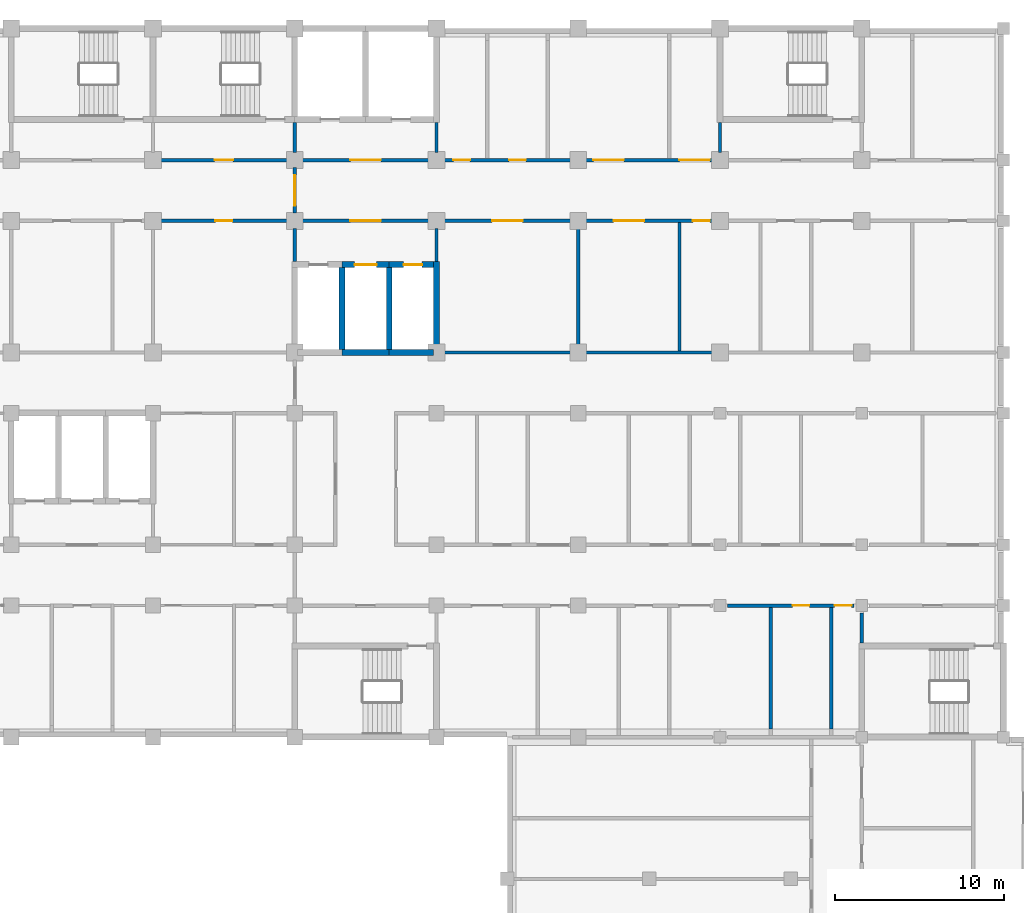
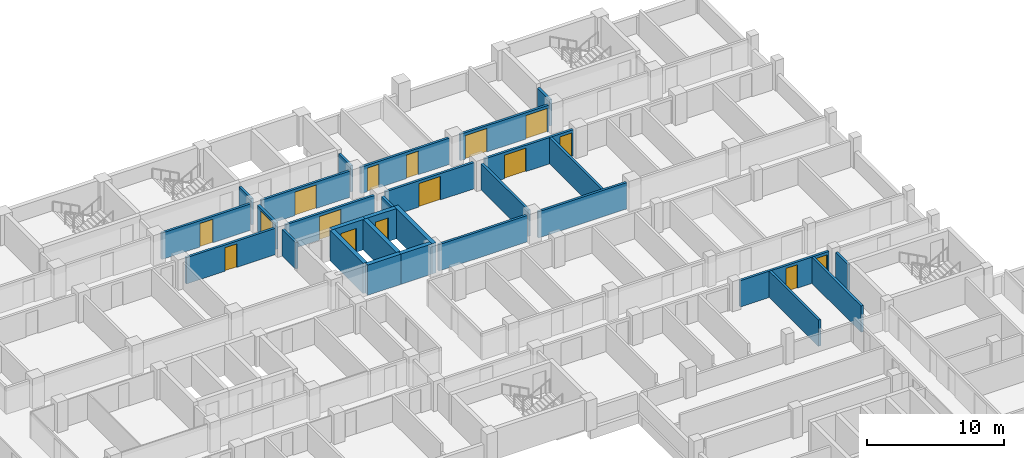
# One storey, part 59 of 89: 29 walls, 16 doors, 16 openings.
"""IFC4 building model written with IfcOpenShell, lengths in metres."""

from ifc_helpers import new_model, si_unit, direction, frame, frame_2d, origin, place, context, subcontext, project, spatial, rectangle, extrude, material, layer, layer_set, type_object, element, fill, save


model = new_model("IFC4")

# Units and contexts
model_context = context("Model", 3, precision=1e-05, world=origin(), true_north=direction((0.0, 1.0)))
body_context = subcontext(model_context, "Body", "Model", "MODEL_VIEW")
ifc_project = project(units=[si_unit("LENGTHUNIT", "METRE"), si_unit("AREAUNIT", "SQUARE_METRE"), si_unit("VOLUMEUNIT", "CUBIC_METRE"), si_unit("PLANEANGLEUNIT", "RADIAN"), si_unit("MASSUNIT", "GRAM", prefix="KILO")], contexts=[model_context])

# Site, building, storey
site_placement = place(None, origin())
site = spatial("IfcSite", under=ifc_project, at=site_placement, CompositionType="ELEMENT")
building_placement = place(site_placement, origin())
building = spatial("IfcBuilding", under=site, at=building_placement, Name="Bougainvillea Quay General Hospital", CompositionType="ELEMENT")
storey_placement = place(building_placement, frame((0.0, 0.0, 9.89990234375)))
storey = spatial("IfcBuildingStorey", under=building, at=storey_placement, Name="L01M", CompositionType="ELEMENT", Elevation=9.89990234375)

# Wall, openings, doors
ifc_material_1 = material(Name="Fire-rated autoclaved aerated block wall, plastered")
ifc_layer_1 = layer(ifc_material_1, 0.199951171875)
ifc_layer_set_1 = layer_set([ifc_layer_1], Name="Fire-rated autoclaved aerated block wall, plastered")
wall_type_1 = type_object("IfcWallType", Name="Partition 200 Fire-rated autoclaved aerated block wall EI 120", PredefinedType="SOLIDWALL", material=ifc_layer_set_1)
wall_1_placement = place(storey_placement, frame((175.949951171875, 151.800048828125, 0.0), z_axis=(0.0, 0.0, 1.0), x_axis=(-1.0, 0.0, 0.0)))
wall_1 = element("IfcWall", 1, at=wall_1_placement, inside=storey, type_object=wall_type_1, Name="Partition 200 mm EI 120", PredefinedType="SOLIDWALL", context=body_context, shape_type="SweptSolid", body=[
    extrude(rectangle(XDim=7.5, YDim=0.199951171875, at=frame_2d((3.75, 0.0))), origin(), (0.0, 0.0, 1.0), 2.35009765625),
])
opening_1_placement = place(wall_1_placement, frame((5.25, 0.0, 0.0)))
opening_1 = element("IfcOpeningElement", 2, at=opening_1_placement, cuts=wall_1, Name="Opening L01M.163", PredefinedType="OPENING", context=body_context, shape_type="SweptSolid", body=[
    extrude(rectangle(XDim=1.800048828125, YDim=2.10009765625, at=frame_2d((0.89990234375, 1.050048828125))), frame((0.0, 0.10986328125, 0.0), z_axis=(0.0, -1.0, 0.0), x_axis=(1.0, 0.0, 0.0)), (0.0, 0.0, 1.0), 0.219970703125),
])
opening_2_placement = place(wall_1_placement, frame((0.14990234375, 0.0, 0.0)))
opening_2 = element("IfcOpeningElement", 3, at=opening_2_placement, cuts=wall_1, Name="Opening L01M.164", PredefinedType="OPENING", context=body_context, shape_type="SweptSolid", body=[
    extrude(rectangle(XDim=1.800048828125, YDim=2.10009765625, at=frame_2d((0.89990234375, 1.050048828125))), frame((0.0, 0.10986328125, 0.0), z_axis=(0.0, -1.0, 0.0), x_axis=(1.0, 0.0, 0.0)), (0.0, 0.0, 1.0), 0.219970703125),
])
ifc_material_2 = material(Name="Steel fire door leaves in steel frame", Category="steel")
door_type_1 = type_object("IfcDoorType", Name="Steel double leaf door 1800x2100 FD90", OperationType="DOUBLE_DOOR_SINGLE_SWING", PredefinedType="DOOR", material=ifc_material_2)
door_1_placement = place(opening_1_placement, frame((1.800048828125, 0.0, 0.0), z_axis=(0.0, 0.0, 1.0), x_axis=(-1.0, 0.0, 0.0)))
door_1 = element("IfcDoor", 4, at=door_1_placement, inside=storey, type_object=door_type_1, Name="DT03 L01M.163", OperationType="DOUBLE_DOOR_SINGLE_SWING", OverallHeight=2.10009765625, OverallWidth=1.800048828125, PredefinedType="DOOR", context=body_context, shape_type="SweptSolid", body=[
    extrude(rectangle(XDim=1.800048828125, YDim=2.10009765625, at=frame_2d((0.89990234375, 1.050048828125))), frame((0.0, 0.02490234375, 0.0), z_axis=(0.0, -1.0, 0.0), x_axis=(1.0, 0.0, 0.0)), (0.0, 0.0, 1.0), 0.050048828125),
])
fill(opening_1, door_1)
door_2_placement = place(opening_2_placement, frame((1.800048828125, 0.0, 0.0), z_axis=(0.0, 0.0, 1.0), x_axis=(-1.0, 0.0, 0.0)))
door_2 = element("IfcDoor", 5, at=door_2_placement, inside=storey, type_object=door_type_1, Name="DT03 L01M.164", OperationType="DOUBLE_DOOR_SINGLE_SWING", OverallHeight=2.10009765625, OverallWidth=1.800048828125, PredefinedType="DOOR", context=body_context, shape_type="SweptSolid", body=[
    extrude(rectangle(XDim=1.800048828125, YDim=2.10009765625, at=frame_2d((0.89990234375, 1.050048828125))), frame((0.0, 0.02490234375, 0.0), z_axis=(0.0, -1.0, 0.0), x_axis=(1.0, 0.0, 0.0)), (0.0, 0.0, 1.0), 0.050048828125),
])
fill(opening_2, door_2)

wall_2_placement = place(storey_placement, frame((167.550048828125, 151.800048828125, 0.0), z_axis=(0.0, 0.0, 1.0), x_axis=(-1.0, 0.0, 0.0)))
wall_2 = element("IfcWall", 6, at=wall_2_placement, inside=storey, type_object=wall_type_1, Name="Partition 200 mm EI 120", PredefinedType="SOLIDWALL", context=body_context, shape_type="SweptSolid", body=[
    extrude(rectangle(XDim=7.5, YDim=0.199951171875, at=frame_2d((3.75, 0.0))), origin(), (0.0, 0.0, 1.0), 2.35009765625),
])
opening_3_placement = place(wall_2_placement, frame((5.949951171875, 0.0, 0.0)))
opening_3 = element("IfcOpeningElement", 7, at=opening_3_placement, cuts=wall_2, Name="Opening L01M.161", PredefinedType="OPENING", context=body_context, shape_type="SweptSolid", body=[
    extrude(rectangle(XDim=1.0, YDim=2.10009765625, at=frame_2d((0.5, 1.050048828125))), frame((0.0, 0.10986328125, 0.0), z_axis=(0.0, -1.0, 0.0), x_axis=(1.0, 0.0, 0.0)), (0.0, 0.0, 1.0), 0.219970703125),
])
opening_4_placement = place(wall_2_placement, frame((2.64990234375, 0.0, 0.0)))
opening_4 = element("IfcOpeningElement", 8, at=opening_4_placement, cuts=wall_2, Name="Opening L01M.162", PredefinedType="OPENING", context=body_context, shape_type="SweptSolid", body=[
    extrude(rectangle(XDim=1.0, YDim=2.10009765625, at=frame_2d((0.5, 1.050048828125))), frame((0.0, 0.10986328125, 0.0), z_axis=(0.0, -1.0, 0.0), x_axis=(1.0, 0.0, 0.0)), (0.0, 0.0, 1.0), 0.219970703125),
])
ifc_material_3 = material(Name="Steel fire door leaf in steel frame", Category="steel")
door_type_2 = type_object("IfcDoorType", Name="Steel single leaf door 1000x2100 FD90", OperationType="NOTDEFINED", PredefinedType="DOOR", material=ifc_material_3)
door_3_placement = place(opening_3_placement, frame((1.0, 0.0, 0.0), z_axis=(0.0, 0.0, 1.0), x_axis=(-1.0, 0.0, 0.0)))
door_3 = element("IfcDoor", 9, at=door_3_placement, inside=storey, type_object=door_type_2, Name="DT11 L01M.161", OperationType="SINGLE_SWING_LEFT", OverallHeight=2.10009765625, OverallWidth=1.0, PredefinedType="DOOR", context=body_context, shape_type="SweptSolid", body=[
    extrude(rectangle(XDim=1.0, YDim=2.10009765625, at=frame_2d((0.5, 1.050048828125))), frame((0.0, 0.02490234375, 0.0), z_axis=(0.0, -1.0, 0.0), x_axis=(1.0, 0.0, 0.0)), (0.0, 0.0, 1.0), 0.050048828125),
])
fill(opening_3, door_3)
door_4_placement = place(opening_4_placement, frame((1.0, 0.0, 0.0), z_axis=(0.0, 0.0, 1.0), x_axis=(-1.0, 0.0, 0.0)))
door_4 = element("IfcDoor", 10, at=door_4_placement, inside=storey, type_object=door_type_2, Name="DT11 L01M.162", OperationType="SINGLE_SWING_RIGHT", OverallHeight=2.10009765625, OverallWidth=1.0, PredefinedType="DOOR", context=body_context, shape_type="SweptSolid", body=[
    extrude(rectangle(XDim=1.0, YDim=2.10009765625, at=frame_2d((0.5, 1.050048828125))), frame((0.0, 0.02490234375, 0.0), z_axis=(0.0, -1.0, 0.0), x_axis=(1.0, 0.0, 0.0)), (0.0, 0.0, 1.0), 0.050048828125),
])
fill(opening_4, door_4)

# Wall, opening, door
wall_3_placement = place(storey_placement, frame((159.14990234375, 151.800048828125, 0.0), z_axis=(0.0, 0.0, 1.0), x_axis=(-1.0, 0.0, 0.0)))
wall_3 = element("IfcWall", 11, at=wall_3_placement, inside=storey, type_object=wall_type_1, Name="Partition 200 mm EI 120", PredefinedType="SOLIDWALL", context=body_context, shape_type="SweptSolid", body=[
    extrude(rectangle(XDim=7.5, YDim=0.199951171875, at=frame_2d((3.75, 0.0))), origin(), (0.0, 0.0, 1.0), 2.35009765625),
])
opening_5_placement = place(wall_3_placement, frame((2.85009765625, 0.0, 0.0)))
opening_5 = element("IfcOpeningElement", 12, at=opening_5_placement, cuts=wall_3, Name="Opening L01M.049", PredefinedType="OPENING", context=body_context, shape_type="SweptSolid", body=[
    extrude(rectangle(XDim=1.800048828125, YDim=2.10009765625, at=frame_2d((0.89990234375, 1.050048828125))), frame((0.0, 0.10986328125, 0.0), z_axis=(0.0, -1.0, 0.0), x_axis=(1.0, 0.0, 0.0)), (0.0, 0.0, 1.0), 0.219970703125),
])
door_type_3 = type_object("IfcDoorType", Name="Steel double leaf door 1800x2100 FD60", OperationType="DOUBLE_DOOR_SINGLE_SWING", PredefinedType="DOOR", material=ifc_material_2)
door_5_placement = place(opening_5_placement, frame((1.800048828125, 0.0, 0.0), z_axis=(0.0, 0.0, 1.0), x_axis=(-1.0, 0.0, 0.0)))
door_5 = element("IfcDoor", 13, at=door_5_placement, inside=storey, type_object=door_type_3, Name="DT05 L01M.049", OperationType="DOUBLE_DOOR_SINGLE_SWING", OverallHeight=2.10009765625, OverallWidth=1.800048828125, PredefinedType="DOOR", context=body_context, shape_type="SweptSolid", body=[
    extrude(rectangle(XDim=1.800048828125, YDim=2.10009765625, at=frame_2d((0.89990234375, 1.050048828125))), frame((0.0, 0.02490234375, 0.0), z_axis=(0.0, -1.0, 0.0), x_axis=(1.0, 0.0, 0.0)), (0.0, 0.0, 1.0), 0.050048828125),
])
fill(opening_5, door_5)

wall_4_placement = place(storey_placement, frame((150.75, 151.800048828125, 0.0), z_axis=(0.0, 0.0, 1.0), x_axis=(-1.0, 0.0, 0.0)))
wall_4 = element("IfcWall", 14, at=wall_4_placement, inside=storey, type_object=wall_type_1, Name="Partition 200 mm EI 120", PredefinedType="SOLIDWALL", context=body_context, shape_type="SweptSolid", body=[
    extrude(rectangle(XDim=7.5, YDim=0.199951171875, at=frame_2d((3.75, 0.0))), origin(), (0.0, 0.0, 1.0), 2.35009765625),
])
opening_6_placement = place(wall_4_placement, frame((3.199951171875, 0.0, 0.0)))
opening_6 = element("IfcOpeningElement", 15, at=opening_6_placement, cuts=wall_4, Name="Opening L01M.041", PredefinedType="OPENING", context=body_context, shape_type="SweptSolid", body=[
    extrude(rectangle(XDim=1.10009765625, YDim=2.10009765625, at=frame_2d((0.550048828125, 1.050048828125))), frame((0.0, 0.10986328125, 0.0), z_axis=(0.0, -1.0, 0.0), x_axis=(1.0, 0.0, 0.0)), (0.0, 0.0, 1.0), 0.219970703125),
])
door_type_4 = type_object("IfcDoorType", Name="Steel single leaf door 1100x2100 FD60", OperationType="NOTDEFINED", PredefinedType="DOOR", material=ifc_material_3)
door_6_placement = place(opening_6_placement, frame((1.10009765625, 0.0, 0.0), z_axis=(0.0, 0.0, 1.0), x_axis=(-1.0, 0.0, 0.0)))
door_6 = element("IfcDoor", 16, at=door_6_placement, inside=storey, type_object=door_type_4, Name="DT04 L01M.041", OperationType="SINGLE_SWING_LEFT", OverallHeight=2.10009765625, OverallWidth=1.10009765625, PredefinedType="DOOR", context=body_context, shape_type="SweptSolid", body=[
    extrude(rectangle(XDim=1.10009765625, YDim=2.10009765625, at=frame_2d((0.550048828125, 1.050048828125))), frame((0.0, 0.02490234375, 0.0), z_axis=(0.0, -1.0, 0.0), x_axis=(1.0, 0.0, 0.0)), (0.0, 0.0, 1.0), 0.050048828125),
])
fill(opening_6, door_6)

# Wall, openings, doors
wall_5_placement = place(storey_placement, frame((175.949951171875, 148.199951171875, 0.0), z_axis=(0.0, 0.0, 1.0), x_axis=(-1.0, 0.0, 0.0)))
wall_5 = element("IfcWall", 17, at=wall_5_placement, inside=storey, type_object=wall_type_1, Name="Partition 200 mm EI 120", PredefinedType="SOLIDWALL", context=body_context, shape_type="SweptSolid", body=[
    extrude(rectangle(XDim=7.5, YDim=0.199951171875, at=frame_2d((3.75, 0.0))), origin(), (0.0, 0.0, 1.0), 2.35009765625),
])
opening_7_placement = place(wall_5_placement, frame((4.050048828125, 0.0, 0.0)))
opening_7 = element("IfcOpeningElement", 18, at=opening_7_placement, cuts=wall_5, Name="Opening L01M.156", PredefinedType="OPENING", context=body_context, shape_type="SweptSolid", body=[
    extrude(rectangle(XDim=1.800048828125, YDim=2.10009765625, at=frame_2d((0.89990234375, 1.050048828125))), frame((0.0, 0.10986328125, 0.0), z_axis=(0.0, -1.0, 0.0), x_axis=(1.0, 0.0, 0.0)), (0.0, 0.0, 1.0), 0.219970703125),
])
opening_8_placement = place(wall_5_placement, frame((0.14990234375, 0.0, 0.0)))
opening_8 = element("IfcOpeningElement", 19, at=opening_8_placement, cuts=wall_5, Name="Opening L01M.157", PredefinedType="OPENING", context=body_context, shape_type="SweptSolid", body=[
    extrude(rectangle(XDim=1.0, YDim=2.10009765625, at=frame_2d((0.5, 1.050048828125))), frame((0.0, 0.10986328125, 0.0), z_axis=(0.0, -1.0, 0.0), x_axis=(1.0, 0.0, 0.0)), (0.0, 0.0, 1.0), 0.219970703125),
])
door_7_placement = place(opening_7_placement, origin())
door_7 = element("IfcDoor", 20, at=door_7_placement, inside=storey, type_object=door_type_1, Name="DT03 L01M.156", OperationType="DOUBLE_DOOR_SINGLE_SWING", OverallHeight=2.10009765625, OverallWidth=1.800048828125, PredefinedType="DOOR", context=body_context, shape_type="SweptSolid", body=[
    extrude(rectangle(XDim=1.800048828125, YDim=2.10009765625, at=frame_2d((0.89990234375, 1.050048828125))), frame((0.0, 0.02490234375, 0.0), z_axis=(0.0, -1.0, 0.0), x_axis=(1.0, 0.0, 0.0)), (0.0, 0.0, 1.0), 0.050048828125),
])
fill(opening_7, door_7)
door_8_placement = place(opening_8_placement, origin())
door_8 = element("IfcDoor", 21, at=door_8_placement, inside=storey, type_object=door_type_2, Name="DT11 L01M.157", OperationType="SINGLE_SWING_LEFT", OverallHeight=2.10009765625, OverallWidth=1.0, PredefinedType="DOOR", context=body_context, shape_type="SweptSolid", body=[
    extrude(rectangle(XDim=1.0, YDim=2.10009765625, at=frame_2d((0.5, 1.050048828125))), frame((0.0, 0.02490234375, 0.0), z_axis=(0.0, -1.0, 0.0), x_axis=(1.0, 0.0, 0.0)), (0.0, 0.0, 1.0), 0.050048828125),
])
fill(opening_8, door_8)

# Wall, opening, door
wall_6_placement = place(storey_placement, frame((167.550048828125, 148.199951171875, 0.0), z_axis=(0.0, 0.0, 1.0), x_axis=(-1.0, 0.0, 0.0)))
wall_6 = element("IfcWall", 22, at=wall_6_placement, inside=storey, type_object=wall_type_1, Name="Partition 200 mm EI 120", PredefinedType="SOLIDWALL", context=body_context, shape_type="SweptSolid", body=[
    extrude(rectangle(XDim=7.5, YDim=0.199951171875, at=frame_2d((3.75, 0.0))), origin(), (0.0, 0.0, 1.0), 2.35009765625),
])
opening_9_placement = place(wall_6_placement, frame((2.85009765625, 0.0, 0.0)))
opening_9 = element("IfcOpeningElement", 23, at=opening_9_placement, cuts=wall_6, Name="Opening L01M.155", PredefinedType="OPENING", context=body_context, shape_type="SweptSolid", body=[
    extrude(rectangle(XDim=1.800048828125, YDim=2.10009765625, at=frame_2d((0.89990234375, 1.050048828125))), frame((0.0, 0.10986328125, 0.0), z_axis=(0.0, -1.0, 0.0), x_axis=(1.0, 0.0, 0.0)), (0.0, 0.0, 1.0), 0.219970703125),
])
door_9_placement = place(opening_9_placement, origin())
door_9 = element("IfcDoor", 24, at=door_9_placement, inside=storey, type_object=door_type_1, Name="DT03 L01M.155", OperationType="DOUBLE_DOOR_SINGLE_SWING", OverallHeight=2.10009765625, OverallWidth=1.800048828125, PredefinedType="DOOR", context=body_context, shape_type="SweptSolid", body=[
    extrude(rectangle(XDim=1.800048828125, YDim=2.10009765625, at=frame_2d((0.89990234375, 1.050048828125))), frame((0.0, 0.02490234375, 0.0), z_axis=(0.0, -1.0, 0.0), x_axis=(1.0, 0.0, 0.0)), (0.0, 0.0, 1.0), 0.050048828125),
])
fill(opening_9, door_9)

wall_7_placement = place(storey_placement, frame((159.14990234375, 148.199951171875, 0.0), z_axis=(0.0, 0.0, 1.0), x_axis=(-1.0, 0.0, 0.0)))
wall_7 = element("IfcWall", 25, at=wall_7_placement, inside=storey, type_object=wall_type_1, Name="Partition 200 mm EI 120", PredefinedType="SOLIDWALL", context=body_context, shape_type="SweptSolid", body=[
    extrude(rectangle(XDim=7.5, YDim=0.199951171875, at=frame_2d((3.75, 0.0))), origin(), (0.0, 0.0, 1.0), 2.35009765625),
])
opening_10_placement = place(wall_7_placement, frame((2.85009765625, 0.0, 0.0)))
opening_10 = element("IfcOpeningElement", 26, at=opening_10_placement, cuts=wall_7, Name="Opening L01M.044", PredefinedType="OPENING", context=body_context, shape_type="SweptSolid", body=[
    extrude(rectangle(XDim=1.800048828125, YDim=2.10009765625, at=frame_2d((0.89990234375, 1.050048828125))), frame((0.0, 0.10986328125, 0.0), z_axis=(0.0, -1.0, 0.0), x_axis=(1.0, 0.0, 0.0)), (0.0, 0.0, 1.0), 0.219970703125),
])
door_10_placement = place(opening_10_placement, origin())
door_10 = element("IfcDoor", 27, at=door_10_placement, inside=storey, type_object=door_type_3, Name="DT05 L01M.044", OperationType="DOUBLE_DOOR_SINGLE_SWING", OverallHeight=2.10009765625, OverallWidth=1.800048828125, PredefinedType="DOOR", context=body_context, shape_type="SweptSolid", body=[
    extrude(rectangle(XDim=1.800048828125, YDim=2.10009765625, at=frame_2d((0.89990234375, 1.050048828125))), frame((0.0, 0.02490234375, 0.0), z_axis=(0.0, -1.0, 0.0), x_axis=(1.0, 0.0, 0.0)), (0.0, 0.0, 1.0), 0.050048828125),
])
fill(opening_10, door_10)

wall_8_placement = place(storey_placement, frame((150.75, 148.199951171875, 0.0), z_axis=(0.0, 0.0, 1.0), x_axis=(-1.0, 0.0, 0.0)))
wall_8 = element("IfcWall", 28, at=wall_8_placement, inside=storey, type_object=wall_type_1, Name="Partition 200 mm EI 120", PredefinedType="SOLIDWALL", context=body_context, shape_type="SweptSolid", body=[
    extrude(rectangle(XDim=7.5, YDim=0.199951171875, at=frame_2d((3.75, 0.0))), origin(), (0.0, 0.0, 1.0), 2.35009765625),
])
opening_11_placement = place(wall_8_placement, frame((3.25, 0.0, 0.0)))
opening_11 = element("IfcOpeningElement", 29, at=opening_11_placement, cuts=wall_8, Name="Opening L01M.152", PredefinedType="OPENING", context=body_context, shape_type="SweptSolid", body=[
    extrude(rectangle(XDim=1.0, YDim=2.10009765625, at=frame_2d((0.5, 1.050048828125))), frame((0.0, 0.10986328125, 0.0), z_axis=(0.0, -1.0, 0.0), x_axis=(1.0, 0.0, 0.0)), (0.0, 0.0, 1.0), 0.219970703125),
])
door_11_placement = place(opening_11_placement, origin())
door_11 = element("IfcDoor", 30, at=door_11_placement, inside=storey, type_object=door_type_2, Name="DT11 L01M.152", OperationType="SINGLE_SWING_LEFT", OverallHeight=2.10009765625, OverallWidth=1.0, PredefinedType="DOOR", context=body_context, shape_type="SweptSolid", body=[
    extrude(rectangle(XDim=1.0, YDim=2.10009765625, at=frame_2d((0.5, 1.050048828125))), frame((0.0, 0.02490234375, 0.0), z_axis=(0.0, -1.0, 0.0), x_axis=(1.0, 0.0, 0.0)), (0.0, 0.0, 1.0), 0.050048828125),
])
fill(opening_11, door_11)

# Walls
for number, where, z_axis, x_axis, name in (
    (31, (159.60009765625, 152.25, 0.0), (0.0, 0.0, 1.0), (0.0, 1.0, 0.0), "Partition 200 mm EI 120"),
    (32, (151.199951171875, 154.02490234375, 0.0), (0.0, 0.0, 1.0), (0.0, -1.0, 0.0), "Partition 200 mm EI 120"),
):
    element("IfcWall", number, at=place(storey_placement, frame(where, z_axis=z_axis, x_axis=x_axis)), inside=storey, type_object=wall_type_1, Name=name, PredefinedType="SOLIDWALL", context=body_context, shape_type="SweptSolid", body=[
        extrude(rectangle(XDim=1.77490234375, YDim=0.199951171875, at=frame_2d((0.887451171875, 0.0))), origin(), (0.0, 0.0, 1.0), 2.35009765625),
    ])

# Wall, opening, door
wall_9_placement = place(storey_placement, frame((151.199951171875, 151.35009765625, 0.0), z_axis=(0.0, 0.0, 1.0), x_axis=(0.0, -1.0, 0.0)))
wall_9 = element("IfcWall", 33, at=wall_9_placement, inside=storey, type_object=wall_type_1, Name="Partition 200 mm EI 120", PredefinedType="SOLIDWALL", context=body_context, shape_type="SweptSolid", body=[
    extrude(rectangle(XDim=2.7001953125, YDim=0.199951171875, at=frame_2d((1.35009765625, 0.0))), origin(), (0.0, 0.0, 1.0), 2.35009765625),
])
opening_12_placement = place(wall_9_placement, frame((0.449951171875, 0.0, 0.0)))
opening_12 = element("IfcOpeningElement", 34, at=opening_12_placement, cuts=wall_9, Name="Opening L01M.016", PredefinedType="OPENING", context=body_context, shape_type="SweptSolid", body=[
    extrude(rectangle(XDim=1.800048828125, YDim=2.10009765625, at=frame_2d((0.89990234375, 1.050048828125))), frame((0.0, 0.10986328125, 0.0), z_axis=(0.0, -1.0, 0.0), x_axis=(1.0, 0.0, 0.0)), (0.0, 0.0, 1.0), 0.219970703125),
])
door_12_placement = place(opening_12_placement, frame((1.800048828125, 0.0, 0.0), z_axis=(0.0, 0.0, 1.0), x_axis=(-1.0, 0.0, 0.0)))
door_12 = element("IfcDoor", 35, at=door_12_placement, inside=storey, type_object=door_type_1, Name="DT03 L01M.016", OperationType="DOUBLE_DOOR_SINGLE_SWING", OverallHeight=2.10009765625, OverallWidth=1.800048828125, PredefinedType="DOOR", context=body_context, shape_type="SweptSolid", body=[
    extrude(rectangle(XDim=1.800048828125, YDim=2.10009765625, at=frame_2d((0.89990234375, 1.050048828125))), frame((0.0, 0.02490234375, 0.0), z_axis=(0.0, -1.0, 0.0), x_axis=(1.0, 0.0, 0.0)), (0.0, 0.0, 1.0), 0.050048828125),
])
fill(opening_12, door_12)

# Wall
wall_10_placement = place(storey_placement, frame((151.199951171875, 147.75, 0.0), z_axis=(0.0, 0.0, 1.0), x_axis=(0.0, -1.0, 0.0)))
element("IfcWall", 36, at=wall_10_placement, inside=storey, type_object=wall_type_1, Name="Partition 200 mm EI 120", PredefinedType="SOLIDWALL", context=body_context, shape_type="SweptSolid", body=[
    extrude(rectangle(XDim=1.97509765625, YDim=0.199951171875, at=frame_2d((0.987548828125, 0.0))), origin(), (0.0, 0.0, 1.0), 2.35009765625),
])

# Wall, openings, doors
wall_11_placement = place(storey_placement, frame((184.35009765625, 125.39990234375, 0.0), z_axis=(0.0, 0.0, 1.0), x_axis=(-1.0, 0.0, 0.0)))
wall_11 = element("IfcWall", 37, at=wall_11_placement, inside=storey, type_object=wall_type_1, Name="Partition 200 mm EI 120", PredefinedType="SOLIDWALL", context=body_context, shape_type="SweptSolid", body=[
    extrude(rectangle(XDim=7.5, YDim=0.199951171875, at=frame_2d((3.75, 0.0))), origin(), (0.0, 0.0, 1.0), 2.35009765625),
])
opening_13_placement = place(wall_11_placement, frame((2.652099609375, 0.0, 0.0)))
opening_13 = element("IfcOpeningElement", 38, at=opening_13_placement, cuts=wall_11, Name="Opening L01M.118", PredefinedType="OPENING", context=body_context, shape_type="SweptSolid", body=[
    extrude(rectangle(XDim=1.0, YDim=2.10009765625, at=frame_2d((0.5, 1.050048828125))), frame((0.0, 0.10986328125, 0.0), z_axis=(0.0, -1.0, 0.0), x_axis=(1.0, 0.0, 0.0)), (0.0, 0.0, 1.0), 0.219970703125),
])
opening_14_placement = place(wall_11_placement, frame((0.15087890625, 0.0, 0.0)))
opening_14 = element("IfcOpeningElement", 39, at=opening_14_placement, cuts=wall_11, Name="Opening L01M.119", PredefinedType="OPENING", context=body_context, shape_type="SweptSolid", body=[
    extrude(rectangle(XDim=1.0, YDim=2.10009765625, at=frame_2d((0.5, 1.050048828125))), frame((0.0, 0.10986328125, 0.0), z_axis=(0.0, -1.0, 0.0), x_axis=(1.0, 0.0, 0.0)), (0.0, 0.0, 1.0), 0.219970703125),
])
door_13_placement = place(opening_13_placement, origin())
door_13 = element("IfcDoor", 40, at=door_13_placement, inside=storey, type_object=door_type_2, Name="DT11 L01M.118", OperationType="SINGLE_SWING_LEFT", OverallHeight=2.10009765625, OverallWidth=1.0, PredefinedType="DOOR", context=body_context, shape_type="SweptSolid", body=[
    extrude(rectangle(XDim=1.0, YDim=2.10009765625, at=frame_2d((0.5, 1.050048828125))), frame((0.0, 0.02490234375, 0.0), z_axis=(0.0, -1.0, 0.0), x_axis=(1.0, 0.0, 0.0)), (0.0, 0.0, 1.0), 0.050048828125),
])
fill(opening_13, door_13)
door_14_placement = place(opening_14_placement, origin())
door_14 = element("IfcDoor", 41, at=door_14_placement, inside=storey, type_object=door_type_2, Name="DT11 L01M.119", OperationType="SINGLE_SWING_LEFT", OverallHeight=2.10009765625, OverallWidth=1.0, PredefinedType="DOOR", context=body_context, shape_type="SweptSolid", body=[
    extrude(rectangle(XDim=1.0, YDim=2.10009765625, at=frame_2d((0.5, 1.050048828125))), frame((0.0, 0.02490234375, 0.0), z_axis=(0.0, -1.0, 0.0), x_axis=(1.0, 0.0, 0.0)), (0.0, 0.0, 1.0), 0.050048828125),
])
fill(opening_14, door_14)

# Walls
for number, where, z_axis, x_axis, name in (
    (42, (175.949951171875, 140.39990234375, 0.0), (0.0, 0.0, 1.0), (-1.0, 0.0, 0.0), "Partition 200 mm EI 120"),
    (43, (167.550048828125, 140.39990234375, 0.0), (0.0, 0.0, 1.0), (-1.0, 0.0, 0.0), "Partition 200 mm EI 120"),
):
    element("IfcWall", number, at=place(storey_placement, frame(where, z_axis=z_axis, x_axis=x_axis)), inside=storey, type_object=wall_type_1, Name=name, PredefinedType="SOLIDWALL", context=body_context, shape_type="SweptSolid", body=[
        extrude(rectangle(XDim=7.5, YDim=0.199951171875, at=frame_2d((3.75, 0.0))), origin(), (0.0, 0.0, 1.0), 2.35009765625),
    ])
wall_12_placement = place(storey_placement, frame((184.800048828125, 124.949951171875, 0.0), z_axis=(0.0, 0.0, 1.0), x_axis=(0.0, -1.0, 0.0)))
element("IfcWall", 44, at=wall_12_placement, inside=storey, type_object=wall_type_1, Name="Partition 200 mm EI 120", PredefinedType="SOLIDWALL", context=body_context, shape_type="SweptSolid", body=[
    extrude(rectangle(XDim=1.77490234375, YDim=0.199951171875, at=frame_2d((0.887451171875, 0.0))), origin(), (0.0, 0.0, 1.0), 2.35009765625),
])
wall_13_placement = place(storey_placement, frame((159.60009765625, 145.77490234375, 0.0), z_axis=(0.0, 0.0, 1.0), x_axis=(0.0, 1.0, 0.0)))
element("IfcWall", 45, at=wall_13_placement, inside=storey, type_object=wall_type_1, Name="Partition 200 mm EI 120", PredefinedType="SOLIDWALL", context=body_context, shape_type="SweptSolid", body=[
    extrude(rectangle(XDim=1.97509765625, YDim=0.199951171875, at=frame_2d((0.987548828125, 0.0))), origin(), (0.0, 0.0, 1.0), 2.35009765625),
])
wall_14_placement = place(storey_placement, frame((176.39990234375, 152.25, 0.0), z_axis=(0.0, 0.0, 1.0), x_axis=(0.0, 1.0, 0.0)))
element("IfcWall", 46, at=wall_14_placement, inside=storey, type_object=wall_type_1, Name="Partition 200 mm EI 120", PredefinedType="SOLIDWALL", context=body_context, shape_type="SweptSolid", body=[
    extrude(rectangle(XDim=1.77490234375, YDim=0.199951171875, at=frame_2d((0.887451171875, 0.0))), origin(), (0.0, 0.0, 1.0), 2.35009765625),
])
for number, where, z_axis, x_axis, name in (
    (47, (179.39794921875, 118.10009765625, 0.0), (0.0, 0.0, 1.0), (0.0, 1.0, 0.0), "Partition 200 mm EI 120"),
    (48, (182.998046875, 118.10009765625, 0.0), (0.0, 0.0, 1.0), (0.0, 1.0, 0.0), "Partition 200 mm EI 120"),
):
    element("IfcWall", number, at=place(storey_placement, frame(where, z_axis=z_axis, x_axis=x_axis)), inside=storey, type_object=wall_type_1, Name=name, PredefinedType="SOLIDWALL", context=body_context, shape_type="SweptSolid", body=[
        extrude(rectangle(XDim=7.199951171875, YDim=0.199951171875, at=frame_2d((3.60009765625, 0.0))), origin(), (0.0, 0.0, 1.0), 2.35009765625),
    ])
wall_15_placement = place(storey_placement, frame((168.0, 140.85009765625, 0.0), z_axis=(0.0, 0.0, 1.0), x_axis=(0.0, 1.0, 0.0)))
element("IfcWall", 49, at=wall_15_placement, inside=storey, type_object=wall_type_1, Name="Partition 200 mm EI 120", PredefinedType="SOLIDWALL", context=body_context, shape_type="SweptSolid", body=[
    extrude(rectangle(XDim=6.89990234375, YDim=0.199951171875, at=frame_2d((3.449951171875, 0.0))), origin(), (0.0, 0.0, 1.0), 2.35009765625),
])
wall_16_placement = place(storey_placement, frame((174.0, 140.5, 0.0), z_axis=(0.0, 0.0, 1.0), x_axis=(0.0, 1.0, 0.0)))
element("IfcWall", 50, at=wall_16_placement, inside=storey, type_object=wall_type_1, Name="Partition 200 mm EI 120", PredefinedType="SOLIDWALL", context=body_context, shape_type="SweptSolid", body=[
    extrude(rectangle(XDim=7.60009765625, YDim=0.199951171875, at=frame_2d((3.800048828125, 0.0))), origin(), (0.0, 0.0, 1.0), 2.35009765625),
])
ifc_material_4 = material(Name="Concrete C40", Category="concrete")
ifc_layer_2 = layer(ifc_material_4, 0.35009765625)
ifc_layer_set_2 = layer_set([ifc_layer_2], Name="Concrete C40")
wall_type_2 = type_object("IfcWallType", Name="RC SHEAR WALL 350 C40", PredefinedType="SHEAR", material=ifc_layer_set_2)
wall_17_placement = place(storey_placement, frame((154.0, 140.39990234375, 0.0), z_axis=(0.0, 0.0, 1.0), x_axis=(1.0, 0.0, 0.0)))
element("IfcWall", 51, at=wall_17_placement, inside=storey, type_object=wall_type_2, Name="Shear wall L01M", PredefinedType="SHEAR", context=body_context, shape_type="SweptSolid", body=[
    extrude(rectangle(XDim=2.800048828125, YDim=0.35009765625, at=frame_2d((1.39990234375, 0.0))), origin(), (0.0, 0.0, 1.0), 2.7001953125),
])
wall_18_placement = place(storey_placement, frame((154.0, 140.574951171875, 0.0), z_axis=(0.0, 0.0, 1.0), x_axis=(0.0, 1.0, 0.0)))
element("IfcWall", 52, at=wall_18_placement, inside=storey, type_object=wall_type_2, Name="Shear wall L01M", PredefinedType="SHEAR", context=body_context, shape_type="SweptSolid", body=[
    extrude(rectangle(XDim=4.85009765625, YDim=0.35009765625, at=frame_2d((2.425048828125, 0.0))), origin(), (0.0, 0.0, 1.0), 2.7001953125),
])

# Wall, opening, door
wall_19_placement = place(storey_placement, frame((154.0, 145.60009765625, 0.0), z_axis=(0.0, 0.0, 1.0), x_axis=(1.0, 0.0, 0.0)))
wall_19 = element("IfcWall", 53, at=wall_19_placement, inside=storey, type_object=wall_type_2, Name="Shear wall L01M", PredefinedType="SHEAR", context=body_context, shape_type="SweptSolid", body=[
    extrude(rectangle(XDim=2.800048828125, YDim=0.35009765625, at=frame_2d((1.39990234375, 0.0))), origin(), (0.0, 0.0, 1.0), 2.7001953125),
])
opening_15_placement = place(wall_19_placement, frame((0.75, 0.0, 0.0)))
opening_15 = element("IfcOpeningElement", 54, at=opening_15_placement, cuts=wall_19, Name="Opening LD-A2.2-L01M", PredefinedType="OPENING", context=body_context, shape_type="SweptSolid", body=[
    extrude(rectangle(XDim=1.300048828125, YDim=2.10009765625, at=frame_2d((0.64990234375, 1.050048828125))), frame((0.0, 0.18505859375, 0.0), z_axis=(0.0, -1.0, 0.0), x_axis=(1.0, 0.0, 0.0)), (0.0, 0.0, 1.0), 0.3701171875),
])
ifc_material_5 = material(Name="Stainless steel centre-opening landing door", Category="steel")
door_type_5 = type_object("IfcDoorType", Name="Lift landing door 1300x2100 E 120", OperationType="DOUBLE_DOOR_SLIDING", PredefinedType="DOOR", material=ifc_material_5)
door_15_placement = place(opening_15_placement, origin())
door_15 = element("IfcDoor", 55, at=door_15_placement, inside=storey, type_object=door_type_5, Name="Lift landing door LB-A2-2 L01M", OperationType="DOUBLE_DOOR_SLIDING", OverallHeight=2.10009765625, OverallWidth=1.300048828125, PredefinedType="DOOR", context=body_context, shape_type="SweptSolid", body=[
    extrude(rectangle(XDim=1.300048828125, YDim=2.10009765625, at=frame_2d((0.64990234375, 1.050048828125))), frame((0.0, 0.02490234375, 0.0), z_axis=(0.0, -1.0, 0.0), x_axis=(1.0, 0.0, 0.0)), (0.0, 0.0, 1.0), 0.050048828125),
])
fill(opening_15, door_15)

# Walls
wall_20_placement = place(storey_placement, frame((156.800048828125, 140.39990234375, 0.0), z_axis=(0.0, 0.0, 1.0), x_axis=(1.0, 0.0, 0.0)))
element("IfcWall", 56, at=wall_20_placement, inside=storey, type_object=wall_type_2, Name="Shear wall L01M", PredefinedType="SHEAR", context=body_context, shape_type="SweptSolid", body=[
    extrude(rectangle(XDim=2.625, YDim=0.35009765625, at=frame_2d((1.3125, 0.0))), origin(), (0.0, 0.0, 1.0), 2.7001953125),
])
wall_21_placement = place(storey_placement, frame((156.800048828125, 140.574951171875, 0.0), z_axis=(0.0, 0.0, 1.0), x_axis=(0.0, 1.0, 0.0)))
element("IfcWall", 57, at=wall_21_placement, inside=storey, type_object=wall_type_2, Name="Shear wall L01M", PredefinedType="SHEAR", context=body_context, shape_type="SweptSolid", body=[
    extrude(rectangle(XDim=4.85009765625, YDim=0.35009765625, at=frame_2d((2.425048828125, 0.0))), origin(), (0.0, 0.0, 1.0), 2.7001953125),
])

# Wall, opening, door
wall_22_placement = place(storey_placement, frame((156.800048828125, 145.60009765625, 0.0), z_axis=(0.0, 0.0, 1.0), x_axis=(1.0, 0.0, 0.0)))
wall_22 = element("IfcWall", 58, at=wall_22_placement, inside=storey, type_object=wall_type_2, Name="Shear wall L01M", PredefinedType="SHEAR", context=body_context, shape_type="SweptSolid", body=[
    extrude(rectangle(XDim=2.625, YDim=0.35009765625, at=frame_2d((1.3125, 0.0))), origin(), (0.0, 0.0, 1.0), 2.7001953125),
])
opening_16_placement = place(wall_22_placement, frame((0.85009765625, 0.0, 0.0)))
opening_16 = element("IfcOpeningElement", 59, at=opening_16_placement, cuts=wall_22, Name="Opening LD-A2.3-L01M", PredefinedType="OPENING", context=body_context, shape_type="SweptSolid", body=[
    extrude(rectangle(XDim=1.10009765625, YDim=2.10009765625, at=frame_2d((0.550048828125, 1.050048828125))), frame((0.0, 0.18505859375, 0.0), z_axis=(0.0, -1.0, 0.0), x_axis=(1.0, 0.0, 0.0)), (0.0, 0.0, 1.0), 0.3701171875),
])
door_type_6 = type_object("IfcDoorType", Name="Lift landing door 1100x2100 E 120", OperationType="DOUBLE_DOOR_SLIDING", PredefinedType="DOOR", material=ifc_material_5)
door_16_placement = place(opening_16_placement, origin())
door_16 = element("IfcDoor", 60, at=door_16_placement, inside=storey, type_object=door_type_6, Name="Lift landing door LB-A2-3 L01M", OperationType="DOUBLE_DOOR_SLIDING", OverallHeight=2.10009765625, OverallWidth=1.10009765625, PredefinedType="DOOR", context=body_context, shape_type="SweptSolid", body=[
    extrude(rectangle(XDim=1.10009765625, YDim=2.10009765625, at=frame_2d((0.550048828125, 1.050048828125))), frame((0.0, 0.02490234375, 0.0), z_axis=(0.0, -1.0, 0.0), x_axis=(1.0, 0.0, 0.0)), (0.0, 0.0, 1.0), 0.050048828125),
])
fill(opening_16, door_16)

# Wall
wall_23_placement = place(storey_placement, frame((159.60009765625, 140.22509765625, 0.0), z_axis=(0.0, 0.0, 1.0), x_axis=(0.0, 1.0, 0.0)))
element("IfcWall", 61, at=wall_23_placement, inside=storey, type_object=wall_type_2, Name="Shear wall L01M", PredefinedType="SHEAR", context=body_context, shape_type="SweptSolid", body=[
    extrude(rectangle(XDim=5.5498046875, YDim=0.35009765625, at=frame_2d((2.77490234375, 0.0))), origin(), (0.0, 0.0, 1.0), 2.7001953125),
])

save(model, "model.ifc")
